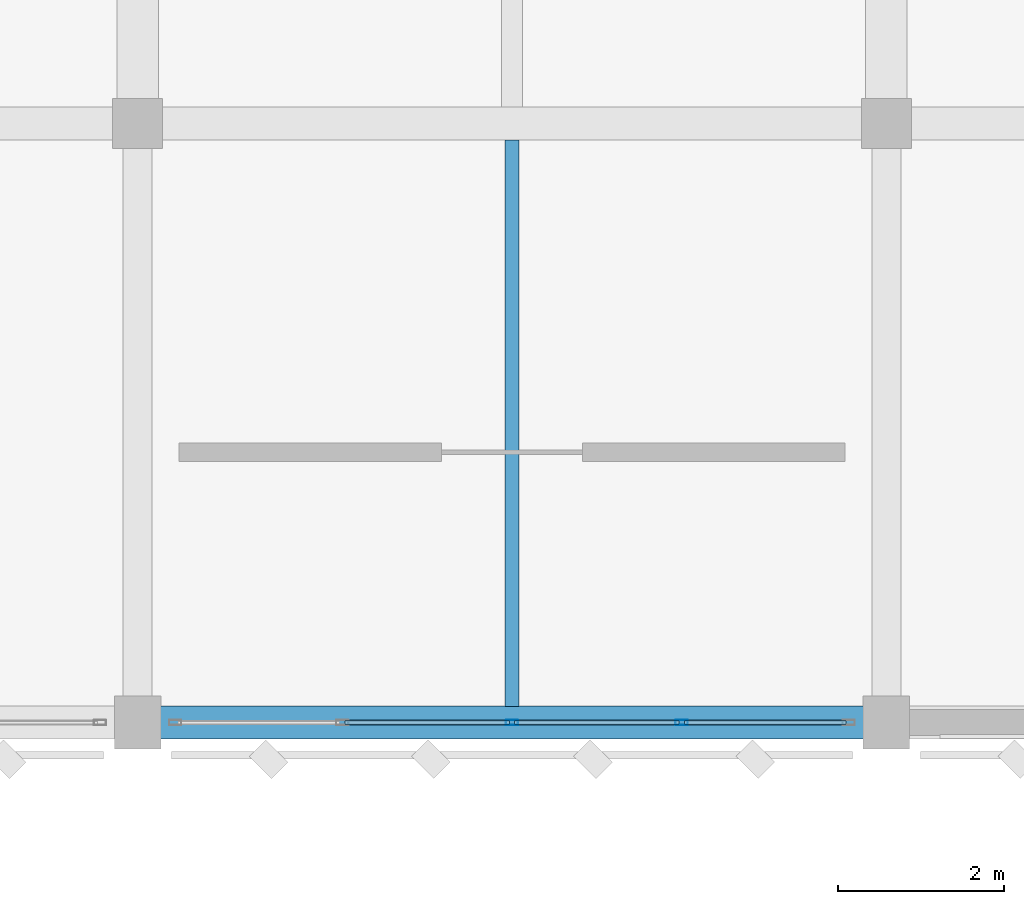
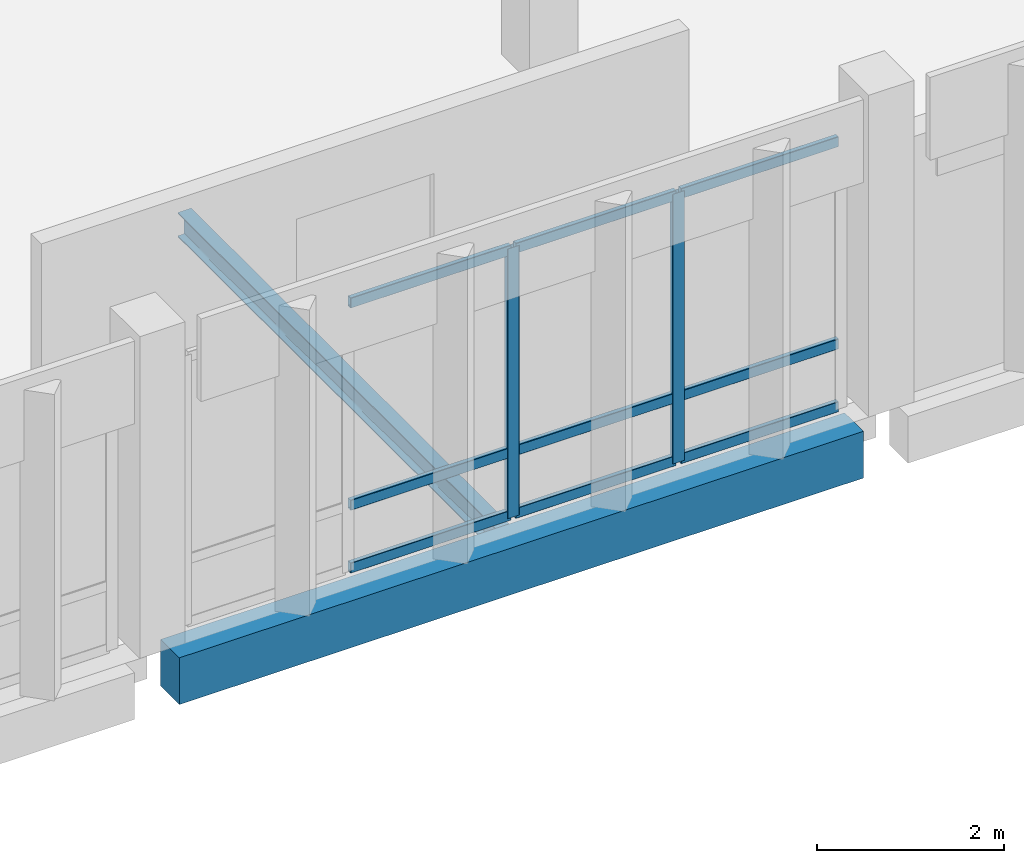
# One storey, part 60 of 158: 11 members, 2 beams, 1 element without a shape of its own.
"""IFC4 building model written with IfcOpenShell, lengths in metres."""

from ifc_helpers import new_model, si_unit, direction, frame, origin, origin_2d, place, context, subcontext, project, spatial, rectangle, hollow_rectangle, i_section, extrude, material, material_profile, profile_set, type_object, element, aggregate, save


model = new_model("IFC4")

# Units and contexts
model_context = context("Model", 3, precision=1e-05, world=origin(), true_north=direction((0.0, 1.0)))
body_context = subcontext(model_context, "Body", "Model", "MODEL_VIEW")
ifc_project = project(units=[si_unit("LENGTHUNIT", "METRE"), si_unit("AREAUNIT", "SQUARE_METRE"), si_unit("VOLUMEUNIT", "CUBIC_METRE"), si_unit("PLANEANGLEUNIT", "RADIAN"), si_unit("MASSUNIT", "GRAM", prefix="KILO")], contexts=[model_context])

# Site, building, storey
site_placement = place(None, origin())
site = spatial("IfcSite", under=ifc_project, at=site_placement, CompositionType="ELEMENT")
building_placement = place(site_placement, origin())
building = spatial("IfcBuilding", under=site, at=building_placement, Name="Lusvemor Sports Hall", CompositionType="ELEMENT")
storey_placement = place(building_placement, frame((0.0, 0.0, 10.800048828125)))
storey = spatial("IfcBuildingStorey", under=building, at=storey_placement, Name="L02", CompositionType="ELEMENT", Elevation=10.800048828125)

# Curtain wall, members
ifc_material_1 = material(Name="Thermally broken bronze-anodized aluminium", Category="aluminium")
curtain_wall_type = type_object("IfcCurtainWallType", Name="CW_WING_B", PredefinedType="NOTDEFINED", material=ifc_material_1)
curtain_wall_placement = place(storey_placement, origin())
curtain_wall = element("IfcCurtainWall", 1, at=curtain_wall_placement, inside=storey, type_object=curtain_wall_type, Name="Curtain Wall CW-L02-S-3-6", PredefinedType="NOTDEFINED")
ifc_material_2 = material(Name="Thermally broken bronze-anodized aluminium", Category="aluminium")
ifc_material_profile_1 = material_profile(ifc_material_2, hollow_rectangle(XDim=0.06494140625, YDim=0.14990234375, WallThickness=0.00390625, InnerFilletRadius=0.00390625, OuterFilletRadius=0.008056640625, at=origin_2d()), Name="CWMUL150x65x4")
ifc_profile_set_1 = profile_set([ifc_material_profile_1], Name="Thermally broken bronze-anodized aluminium")
member_type_1 = type_object("IfcMemberType", Name="CW_MUL_B", PredefinedType="MULLION", material=ifc_profile_set_1)
member_1_placement = place(storey_placement, frame((91.139892578125, 97.199951171875, 0.0), z_axis=(0.0, 0.0, 1.0), x_axis=(0.0, -1.0, 0.0)))
member_1 = element("IfcMember", 2, at=member_1_placement, type_object=member_type_1, Name="CW02 mullion 2", PredefinedType="MULLION", context=body_context, shape_type="SweptSolid", body=[
    extrude(hollow_rectangle(XDim=0.06494140625, YDim=0.14990234375, WallThickness=0.00390625, InnerFilletRadius=0.00390625, OuterFilletRadius=0.008056640625, at=origin_2d()), origin(), (0.0, 0.0, 1.0), 3.52001953125),
])
member_2_placement = place(storey_placement, frame((89.10009765625, 97.199951171875, 0.0), z_axis=(0.0, 0.0, 1.0), x_axis=(0.0, -1.0, 0.0)))
member_2 = element("IfcMember", 3, at=member_2_placement, type_object=member_type_1, Name="CW02 mullion 3", PredefinedType="MULLION", context=body_context, shape_type="SweptSolid", body=[
    extrude(hollow_rectangle(XDim=0.06494140625, YDim=0.14990234375, WallThickness=0.00390625, InnerFilletRadius=0.00390625, OuterFilletRadius=0.008056640625, at=origin_2d()), origin(), (0.0, 0.0, 1.0), 3.52001953125),
])
ifc_material_3 = material(Name="Thermally broken bronze-anodized aluminium", Category="aluminium")
ifc_material_profile_2 = material_profile(ifc_material_3, hollow_rectangle(XDim=0.06005859375, YDim=0.135009765625, WallThickness=0.00390625, InnerFilletRadius=0.00390625, OuterFilletRadius=0.008056640625, at=origin_2d()), Name="CWTRN135x60x4")
ifc_profile_set_2 = profile_set([ifc_material_profile_2], Name="Thermally broken bronze-anodized aluminium")
member_type_2 = type_object("IfcMemberType", Name="CW_TRN_B", PredefinedType="USERDEFINED", material=ifc_profile_set_2)
member_3_placement = place(storey_placement, frame((93.114990234375, 97.199951171875, 0.030029296875), z_axis=(-1.0, 0.0, 0.0), x_axis=(0.0, -1.0, 0.0)))
member_3 = element("IfcMember", 4, at=member_3_placement, type_object=member_type_2, Name="CW02 transom 1.1", ObjectType="TRANSOM", PredefinedType="USERDEFINED", context=body_context, shape_type="SweptSolid", body=[
    extrude(hollow_rectangle(XDim=0.06005859375, YDim=0.135009765625, WallThickness=0.00390625, InnerFilletRadius=0.00390625, OuterFilletRadius=0.008056640625, at=origin_2d()), origin(), (0.0, 0.0, 1.0), 1.9423828125),
])
member_4_placement = place(storey_placement, frame((93.114990234375, 97.199951171875, 0.849853515625), z_axis=(-1.0, 0.0, 0.0), x_axis=(0.0, -1.0, 0.0)))
member_4 = element("IfcMember", 5, at=member_4_placement, type_object=member_type_2, Name="CW02 transom 1.2", ObjectType="TRANSOM", PredefinedType="USERDEFINED", context=body_context, shape_type="SweptSolid", body=[
    extrude(hollow_rectangle(XDim=0.06005859375, YDim=0.135009765625, WallThickness=0.00390625, InnerFilletRadius=0.00390625, OuterFilletRadius=0.008056640625, at=origin_2d()), origin(), (0.0, 0.0, 1.0), 1.9423828125),
])
member_5_placement = place(storey_placement, frame((93.114990234375, 97.199951171875, 3.489990234375), z_axis=(-1.0, 0.0, 0.0), x_axis=(0.0, -1.0, 0.0)))
member_5 = element("IfcMember", 6, at=member_5_placement, type_object=member_type_2, Name="CW02 transom 1.3", ObjectType="TRANSOM", PredefinedType="USERDEFINED", context=body_context, shape_type="SweptSolid", body=[
    extrude(hollow_rectangle(XDim=0.06005859375, YDim=0.135009765625, WallThickness=0.00390625, InnerFilletRadius=0.00390625, OuterFilletRadius=0.008056640625, at=origin_2d()), origin(), (0.0, 0.0, 1.0), 1.9423828125),
])
member_6_placement = place(storey_placement, frame((91.107421875, 97.199951171875, 0.030029296875), z_axis=(-1.0, 0.0, 0.0), x_axis=(0.0, -1.0, 0.0)))
member_6 = element("IfcMember", 7, at=member_6_placement, type_object=member_type_2, Name="CW02 transom 2.1", ObjectType="TRANSOM", PredefinedType="USERDEFINED", context=body_context, shape_type="SweptSolid", body=[
    extrude(hollow_rectangle(XDim=0.06005859375, YDim=0.135009765625, WallThickness=0.00390625, InnerFilletRadius=0.00390625, OuterFilletRadius=0.008056640625, at=origin_2d()), origin(), (0.0, 0.0, 1.0), 1.974853515625),
])
member_7_placement = place(storey_placement, frame((91.107421875, 97.199951171875, 0.849853515625), z_axis=(-1.0, 0.0, 0.0), x_axis=(0.0, -1.0, 0.0)))
member_7 = element("IfcMember", 8, at=member_7_placement, type_object=member_type_2, Name="CW02 transom 2.2", ObjectType="TRANSOM", PredefinedType="USERDEFINED", context=body_context, shape_type="SweptSolid", body=[
    extrude(hollow_rectangle(XDim=0.06005859375, YDim=0.135009765625, WallThickness=0.00390625, InnerFilletRadius=0.00390625, OuterFilletRadius=0.008056640625, at=origin_2d()), origin(), (0.0, 0.0, 1.0), 1.974853515625),
])
member_8_placement = place(storey_placement, frame((91.107421875, 97.199951171875, 3.489990234375), z_axis=(-1.0, 0.0, 0.0), x_axis=(0.0, -1.0, 0.0)))
member_8 = element("IfcMember", 9, at=member_8_placement, type_object=member_type_2, Name="CW02 transom 2.3", ObjectType="TRANSOM", PredefinedType="USERDEFINED", context=body_context, shape_type="SweptSolid", body=[
    extrude(hollow_rectangle(XDim=0.06005859375, YDim=0.135009765625, WallThickness=0.00390625, InnerFilletRadius=0.00390625, OuterFilletRadius=0.008056640625, at=origin_2d()), origin(), (0.0, 0.0, 1.0), 1.974853515625),
])
member_9_placement = place(storey_placement, frame((89.0673828125, 97.199951171875, 0.030029296875), z_axis=(-1.0, 0.0, 0.0), x_axis=(0.0, -1.0, 0.0)))
member_9 = element("IfcMember", 10, at=member_9_placement, type_object=member_type_2, Name="CW02 transom 3.1", ObjectType="TRANSOM", PredefinedType="USERDEFINED", context=body_context, shape_type="SweptSolid", body=[
    extrude(hollow_rectangle(XDim=0.06005859375, YDim=0.135009765625, WallThickness=0.00390625, InnerFilletRadius=0.00390625, OuterFilletRadius=0.008056640625, at=origin_2d()), origin(), (0.0, 0.0, 1.0), 1.974853515625),
])
member_10_placement = place(storey_placement, frame((89.0673828125, 97.199951171875, 0.849853515625), z_axis=(-1.0, 0.0, 0.0), x_axis=(0.0, -1.0, 0.0)))
member_10 = element("IfcMember", 11, at=member_10_placement, type_object=member_type_2, Name="CW02 transom 3.2", ObjectType="TRANSOM", PredefinedType="USERDEFINED", context=body_context, shape_type="SweptSolid", body=[
    extrude(hollow_rectangle(XDim=0.06005859375, YDim=0.135009765625, WallThickness=0.00390625, InnerFilletRadius=0.00390625, OuterFilletRadius=0.008056640625, at=origin_2d()), origin(), (0.0, 0.0, 1.0), 1.974853515625),
])
member_11_placement = place(storey_placement, frame((89.0673828125, 97.199951171875, 3.489990234375), z_axis=(-1.0, 0.0, 0.0), x_axis=(0.0, -1.0, 0.0)))
member_11 = element("IfcMember", 12, at=member_11_placement, type_object=member_type_2, Name="CW02 transom 3.3", ObjectType="TRANSOM", PredefinedType="USERDEFINED", context=body_context, shape_type="SweptSolid", body=[
    extrude(hollow_rectangle(XDim=0.06005859375, YDim=0.135009765625, WallThickness=0.00390625, InnerFilletRadius=0.00390625, OuterFilletRadius=0.008056640625, at=origin_2d()), origin(), (0.0, 0.0, 1.0), 1.974853515625),
])
aggregate(curtain_wall, [member_1, member_2, member_3, member_4, member_5, member_6, member_7, member_8, member_9, member_10, member_11])

# Beams
ifc_material_4 = material(Name="Steel S355", Category="steel")
ifc_material_profile_3 = material_profile(ifc_material_4, i_section(OverallWidth=0.1669921875, OverallDepth=0.31689453125, WebThickness=0.007568359375, FlangeThickness=0.01318359375, FilletRadius=0.014892578125, at=origin_2d()), Name="W310x52.0")
ifc_profile_set_3 = profile_set([ifc_material_profile_3], Name="Steel S355")
beam_type_1 = type_object("IfcBeamType", Name="JOIST_ST_310M", PredefinedType="JOIST", material=ifc_profile_set_3)
beam_1_placement = place(storey_placement, frame((89.10009765625, 97.39599609375, -0.422607421875), z_axis=(0.0, 1.0, 0.0), x_axis=(-1.0, 0.0, 0.0)))
element("IfcBeam", 13, at=beam_1_placement, inside=storey, type_object=beam_type_1, Name="Secondary Joist L02 9-10/N-P #1", PredefinedType="JOIST", context=body_context, shape_type="SweptSolid", body=[
    extrude(i_section(OverallWidth=0.1669921875, OverallDepth=0.31689453125, WebThickness=0.007568359375, FlangeThickness=0.01318359375, FilletRadius=0.014892578125, at=origin_2d()), origin(), (0.0, 0.0, 1.0), 6.80810546875),
])
ifc_material_5 = material(Name="Concrete C40/50", Category="concrete")
ifc_material_profile_4 = material_profile(ifc_material_5, rectangle(XDim=0.39990234375, YDim=0.610107421875, at=origin_2d()), Name="RC400x610")
ifc_profile_set_4 = profile_set([ifc_material_profile_4], Name="Concrete C40/50")
beam_type_2 = type_object("IfcBeamType", Name="SPAND_EXT_650", PredefinedType="SPANDREL", material=ifc_profile_set_4)
beam_2_placement = place(storey_placement, frame((84.8759765625, 97.199951171875, -0.56494140625), z_axis=(1.0, 0.0, 0.0), x_axis=(0.0, 1.0, 0.0)))
element("IfcBeam", 14, at=beam_2_placement, inside=storey, type_object=beam_type_2, Name="Beam L02 N:9-10", PredefinedType="SPANDREL", context=body_context, shape_type="SweptSolid", body=[
    extrude(rectangle(XDim=0.39990234375, YDim=0.610107421875, at=origin_2d()), origin(), (0.0, 0.0, 1.0), 8.447998046875),
])

save(model, "model.ifc")
